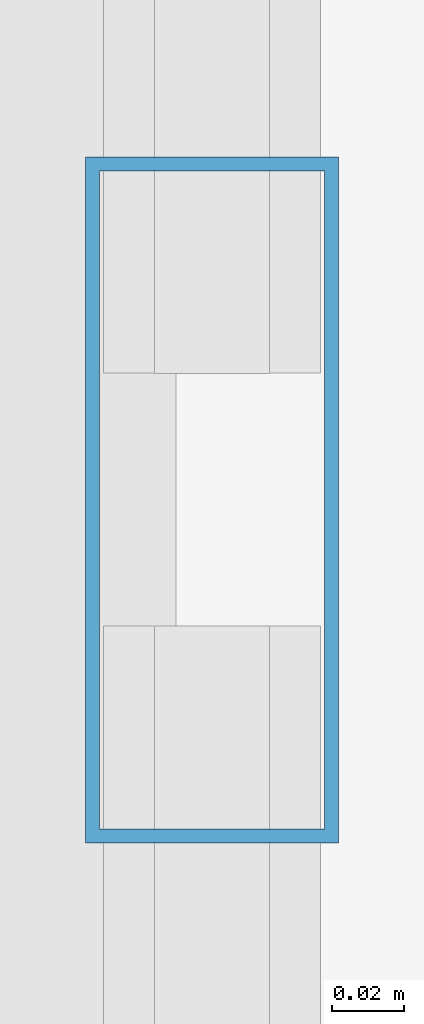
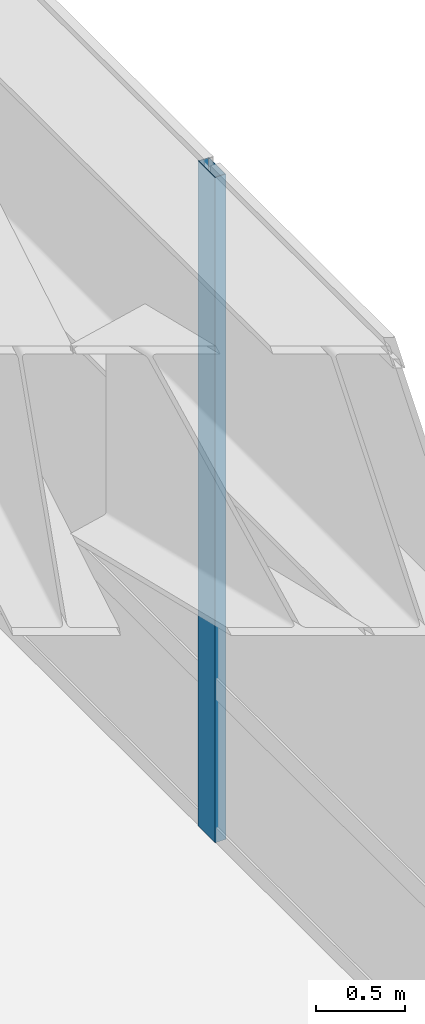
# One storey, part 20 of 30: 1 member, 1 element without a shape of its own.
"""IFC4 building model written with IfcOpenShell, lengths in metres."""

from ifc_helpers import new_model, si_unit, direction, frame, origin, origin_2d, place, context, subcontext, project, spatial, hollow_rectangle, extrude, source, transform, mapped, material, layer, layer_set, material_profile, profile_set, type_object, type_shapes, element, aggregate, save


model = new_model("IFC4")

# Units and contexts
model_context = context("Model", 3, precision=1e-05, world=origin(), true_north=direction((0.0, 1.0)))
body_context = subcontext(model_context, "Body", "Model", "MODEL_VIEW")
ifc_project = project(units=[si_unit("LENGTHUNIT", "METRE"), si_unit("AREAUNIT", "SQUARE_METRE"), si_unit("VOLUMEUNIT", "CUBIC_METRE"), si_unit("PLANEANGLEUNIT", "RADIAN"), si_unit("MASSUNIT", "GRAM", prefix="KILO")], contexts=[model_context])

# Site, building, storey
site_placement = place(None, origin())
site = spatial("IfcSite", under=ifc_project, at=site_placement, CompositionType="ELEMENT")
building_placement = place(site_placement, origin())
building = spatial("IfcBuilding", under=site, at=building_placement, Name="Varnel Quay Broadcast Tower", CompositionType="ELEMENT")
storey_placement = place(building_placement, frame((0.0, 0.0, 82.199951171875)))
storey = spatial("IfcBuildingStorey", under=building, at=storey_placement, Name="L19", CompositionType="ELEMENT", Elevation=82.199951171875)

# Curtain wall, member
ifc_material = material(Name="Anodised Bronze Aluminium 6063-T6", Category="aluminium")
ifc_layer = layer(ifc_material, 0.18994140625, Name="Anodised Bronze Aluminium 6063-T6")
ifc_layer_set = layer_set([ifc_layer], Name="Anodised Bronze Aluminium 6063-T6")
curtain_wall_type = type_object("IfcCurtainWallType", Name="CW_LowerTower", PredefinedType="NOTDEFINED", material=ifc_layer_set)
curtain_wall_placement = place(storey_placement, origin())
curtain_wall = element("IfcCurtainWall", 1, at=curtain_wall_placement, inside=storey, type_object=curtain_wall_type, Name="L19 East Unitised Curtain Wall", PredefinedType="NOTDEFINED")
ifc_material_profile = material_profile(ifc_material, hollow_rectangle(XDim=0.070068359375, YDim=0.18994140625, WallThickness=0.00390625, at=origin_2d()), Name="ALU70X190X4")
ifc_profile_set = profile_set([ifc_material_profile], Name="Anodised Bronze Aluminium 6063-T6")
member_type = type_object("IfcMemberType", Name="Mull_CWS-02", PredefinedType="MULLION", material=ifc_profile_set)
shared_shape = source(origin(), body_context, "Body", "SweptSolid", [
    extrude(hollow_rectangle(XDim=0.070068359375, YDim=0.18994140625, WallThickness=0.00390625, at=origin_2d()), origin(), (0.0, 0.0, 1.0), 4.550048828125),
])
type_shapes(member_type, [shared_shape])
member_placement = place(storey_placement, frame((65.85009765625, 30.39990234375, 0.0), z_axis=(0.0, 0.0, 1.0), x_axis=(-1.0, 0.0, 0.0)))
member = element("IfcMember", 2, at=member_placement, type_object=member_type, Name="CWS-02 mullion 3", PredefinedType="MULLION", context=body_context, shape_type="MappedRepresentation", body=[
    mapped(shared_shape, transform((0.0, 0.0, 0.0), x_axis=(1.0, 0.0, 0.0), y_axis=(0.0, 1.0, 0.0), z_axis=(0.0, 0.0, 1.0), scale=1.0)),
])
aggregate(curtain_wall, [member])

save(model, "model.ifc")
